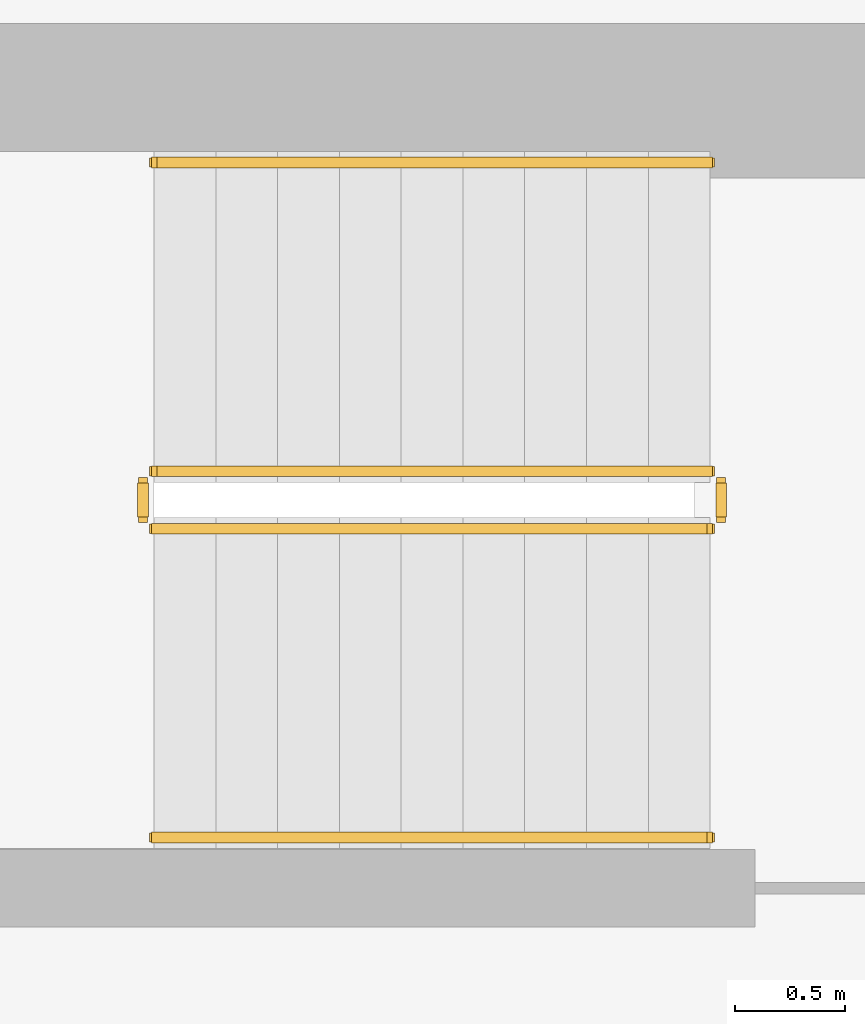
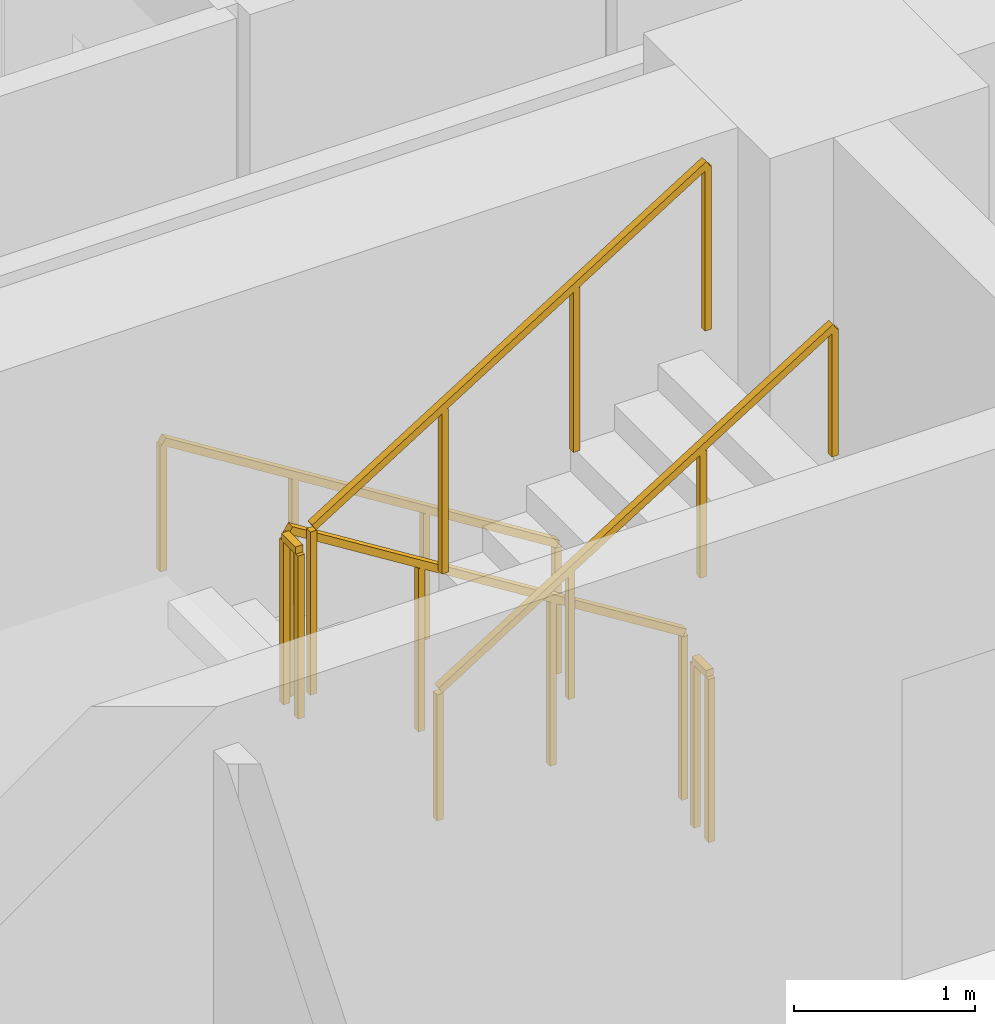
# One storey, part 14 of 16: 6 railings.
"""IFC4 building model written with IfcOpenShell, lengths in metres."""

from ifc_helpers import new_model, si_unit, direction, frame, origin, origin_2d, place, context, subcontext, project, spatial, rectangle, extrude, material, type_object, element, save


model = new_model("IFC4")

# Units and contexts
model_context = context("Model", 3, precision=1e-05, world=origin(), true_north=direction((0.0, 1.0)))
body_context = subcontext(model_context, "Body", "Model", "MODEL_VIEW")
ifc_project = project(units=[si_unit("LENGTHUNIT", "METRE"), si_unit("AREAUNIT", "SQUARE_METRE"), si_unit("VOLUMEUNIT", "CUBIC_METRE"), si_unit("PLANEANGLEUNIT", "RADIAN"), si_unit("MASSUNIT", "GRAM", prefix="KILO")], contexts=[model_context])

# Site, building, storey
site_placement = place(None, origin())
site = spatial("IfcSite", under=ifc_project, at=site_placement, CompositionType="ELEMENT")
building_placement = place(site_placement, origin())
building = spatial("IfcBuilding", under=site, at=building_placement, Name="Zarnavel Station Tower", CompositionType="ELEMENT")
storey_placement = place(building_placement, frame((0.0, 0.0, 46.5)))
storey = spatial("IfcBuildingStorey", under=building, at=storey_placement, Name="L12", CompositionType="ELEMENT", Elevation=46.5)

# Railings
ifc_material_1 = material(Name="Painted Steel S355J2 Balustrade", Category="steel")
railing_type_1 = type_object("IfcRailingType", Name="GR_INT_1150", PredefinedType="GUARDRAIL", material=ifc_material_1)
railing_1_placement = place(storey_placement, frame((19.47998046875, 35.3701171875, 0.175048828125)))
element("IfcRailing", 1, at=railing_1_placement, inside=storey, type_object=railing_type_1, Name="L12 ST1 stair guard 1", PredefinedType="GUARDRAIL", context=body_context, shape_type="SweptSolid", body=[
    extrude(rectangle(XDim=0.048095703125, YDim=0.048095703125, at=origin_2d()), frame((-0.001708984375, 0.0, 1.126953125), z_axis=(-0.848007534815, 0.0, 0.529984170421), x_axis=(0.0, -1.0, 0.0)), (0.0, 0.0, 1.0), 2.9677734375),
    extrude(rectangle(XDim=0.0419921875, YDim=0.0419921875, at=origin_2d()), origin(), (0.0, 0.0, 1.0), 1.101806640625),
    extrude(rectangle(XDim=0.0419921875, YDim=0.0419921875, at=origin_2d()), frame((-0.840087890625, 0.0, 0.52490234375)), (0.0, 0.0, 1.0), 1.101806640625),
    extrude(rectangle(XDim=0.0419921875, YDim=0.0419921875, at=origin_2d()), frame((-1.679931640625, 0.0, 1.050048828125)), (0.0, 0.0, 1.0), 1.101806640625),
    extrude(rectangle(XDim=0.0419921875, YDim=0.0419921875, at=origin_2d()), frame((-2.52001953125, 0.0, 1.574951171875)), (0.0, 0.0, 1.0), 1.101806640625),
])
railing_2_placement = place(storey_placement, frame((16.909912109375, 35.320068359375, 1.75)))
element("IfcRailing", 2, at=railing_2_placement, inside=storey, type_object=railing_type_1, Name="L12 ST1 stair guard 2", PredefinedType="GUARDRAIL", context=body_context, shape_type="SweptSolid", body=[
    extrude(rectangle(XDim=0.048095703125, YDim=0.048095703125, at=origin_2d()), frame((0.0, -0.001953125, 1.1259765625), z_axis=(0.0, -1.0, 0.0), x_axis=(1.0, 0.0, 0.0)), (0.0, 0.0, 1.0), 0.15625),
    extrude(rectangle(XDim=0.0419921875, YDim=0.0419921875, at=origin_2d()), origin(), (0.0, 0.0, 1.0), 1.101806640625),
    extrude(rectangle(XDim=0.0419921875, YDim=0.0419921875, at=origin_2d()), frame((0.0, -0.16015625, 0.0)), (0.0, 0.0, 1.0), 1.101806640625),
])
railing_3_placement = place(storey_placement, frame((16.9599609375, 35.110107421875, 1.925048828125)))
element("IfcRailing", 3, at=railing_3_placement, inside=storey, type_object=railing_type_1, Name="L12 ST1 stair guard 3", PredefinedType="GUARDRAIL", context=body_context, shape_type="SweptSolid", body=[
    extrude(rectangle(XDim=0.048095703125, YDim=0.048095703125, at=origin_2d()), frame((0.001708984375, 0.0, 1.126953125), z_axis=(0.848007534815, 0.0, 0.529984170421), x_axis=(0.0, 1.0, 0.0)), (0.0, 0.0, 1.0), 2.9677734375),
    extrude(rectangle(XDim=0.0419921875, YDim=0.0419921875, at=origin_2d()), origin(), (0.0, 0.0, 1.0), 1.101806640625),
    extrude(rectangle(XDim=0.0419921875, YDim=0.0419921875, at=origin_2d()), frame((0.840087890625, 0.0, 0.52490234375)), (0.0, 0.0, 1.0), 1.101806640625),
    extrude(rectangle(XDim=0.0419921875, YDim=0.0419921875, at=origin_2d()), frame((1.679931640625, 0.0, 1.050048828125)), (0.0, 0.0, 1.0), 1.101806640625),
    extrude(rectangle(XDim=0.0419921875, YDim=0.0419921875, at=origin_2d()), frame((2.52001953125, 0.0, 1.574951171875)), (0.0, 0.0, 1.0), 1.101806640625),
])
railing_4_placement = place(storey_placement, frame((19.530029296875, 35.320068359375, 0.0)))
element("IfcRailing", 4, at=railing_4_placement, inside=storey, type_object=railing_type_1, Name="L12 ST1 stair guard 4", PredefinedType="GUARDRAIL", context=body_context, shape_type="SweptSolid", body=[
    extrude(rectangle(XDim=0.048095703125, YDim=0.048095703125, at=origin_2d()), frame((0.0, -0.001953125, 1.1259765625), z_axis=(0.0, -1.0, 0.0), x_axis=(1.0, 0.0, 0.0)), (0.0, 0.0, 1.0), 0.15625),
    extrude(rectangle(XDim=0.0419921875, YDim=0.0419921875, at=origin_2d()), origin(), (0.0, 0.0, 1.0), 1.101806640625),
    extrude(rectangle(XDim=0.0419921875, YDim=0.0419921875, at=origin_2d()), frame((0.0, -0.16015625, 0.0)), (0.0, 0.0, 1.0), 1.101806640625),
])
ifc_material_2 = material(Name="Brushed Stainless Steel S355J2 Handrail", Category="steel")
railing_type_2 = type_object("IfcRailingType", Name="HR_STAIR_900", PredefinedType="HANDRAIL", material=ifc_material_2)
railing_5_placement = place(storey_placement, frame((19.47998046875, 36.77001953125, 0.175048828125)))
element("IfcRailing", 5, at=railing_5_placement, inside=storey, type_object=railing_type_2, Name="L12 ST1 stair handrail 1", PredefinedType="HANDRAIL", context=body_context, shape_type="SweptSolid", body=[
    extrude(rectangle(XDim=0.048095703125, YDim=0.048095703125, at=origin_2d()), frame((-0.001708984375, 0.0, 0.876953125), z_axis=(-0.848007534815, 0.0, 0.529984170421), x_axis=(0.0, -1.0, 0.0)), (0.0, 0.0, 1.0), 2.9677734375),
    extrude(rectangle(XDim=0.0419921875, YDim=0.0419921875, at=origin_2d()), origin(), (0.0, 0.0, 1.0), 0.851806640625),
    extrude(rectangle(XDim=0.0419921875, YDim=0.0419921875, at=origin_2d()), frame((-0.840087890625, 0.0, 0.52490234375)), (0.0, 0.0, 1.0), 0.851806640625),
    extrude(rectangle(XDim=0.0419921875, YDim=0.0419921875, at=origin_2d()), frame((-1.679931640625, 0.0, 1.050048828125)), (0.0, 0.0, 1.0), 0.851806640625),
    extrude(rectangle(XDim=0.0419921875, YDim=0.0419921875, at=origin_2d()), frame((-2.52001953125, 0.0, 1.574951171875)), (0.0, 0.0, 1.0), 0.851806640625),
])
railing_6_placement = place(storey_placement, frame((16.9599609375, 33.7099609375, 1.925048828125)))
element("IfcRailing", 6, at=railing_6_placement, inside=storey, type_object=railing_type_2, Name="L12 ST1 stair handrail 2", PredefinedType="HANDRAIL", context=body_context, shape_type="SweptSolid", body=[
    extrude(rectangle(XDim=0.048095703125, YDim=0.048095703125, at=origin_2d()), frame((0.001708984375, 0.0, 0.876953125), z_axis=(0.848007534815, 0.0, 0.529984170421), x_axis=(0.0, 1.0, 0.0)), (0.0, 0.0, 1.0), 2.9677734375),
    extrude(rectangle(XDim=0.0419921875, YDim=0.0419921875, at=origin_2d()), origin(), (0.0, 0.0, 1.0), 0.851806640625),
    extrude(rectangle(XDim=0.0419921875, YDim=0.0419921875, at=origin_2d()), frame((0.840087890625, 0.0, 0.52490234375)), (0.0, 0.0, 1.0), 0.851806640625),
    extrude(rectangle(XDim=0.0419921875, YDim=0.0419921875, at=origin_2d()), frame((1.679931640625, 0.0, 1.050048828125)), (0.0, 0.0, 1.0), 0.851806640625),
    extrude(rectangle(XDim=0.0419921875, YDim=0.0419921875, at=origin_2d()), frame((2.52001953125, 0.0, 1.574951171875)), (0.0, 0.0, 1.0), 0.851806640625),
])

save(model, "model.ifc")
